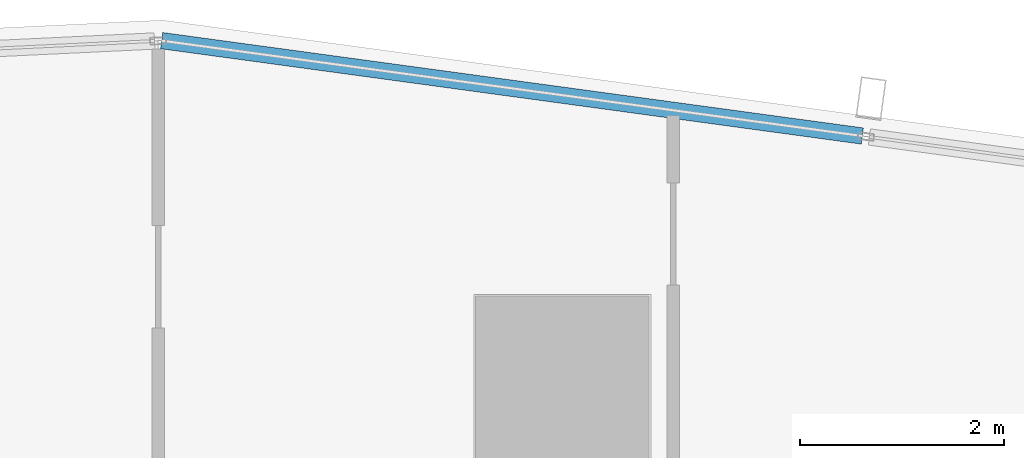
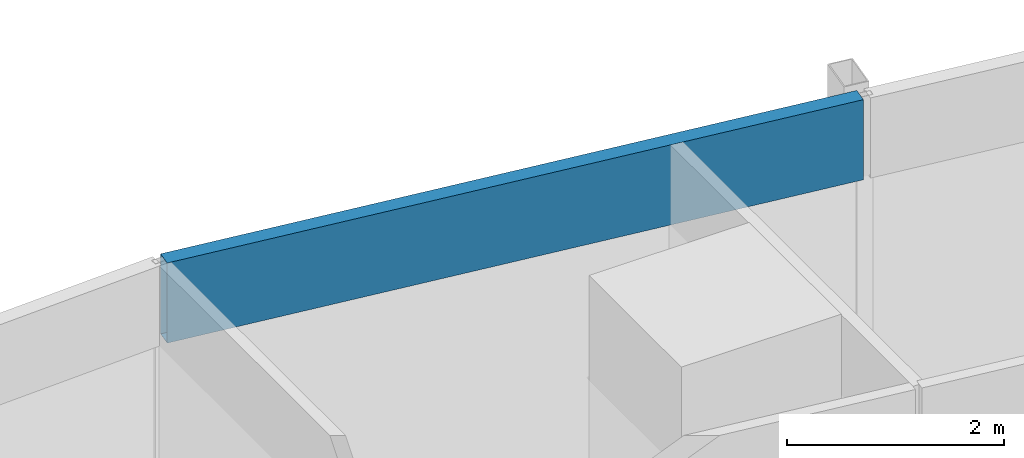
# One storey, part 22 of 39: 1 member, 1 element without a shape of its own.
"""IFC4 building model written with IfcOpenShell, lengths in metres."""

import ifcopenshell
import ifcopenshell.guid

model = None  # the IFC model being written
_history = None  # IfcOwnerHistory: only IFC2X3 demands one
_inside = {}  # id of a spatial element -> (the spatial element, [elements in it])
_under = {}  # id of a project, library or spatial element -> (it, [spatial elements below it])
_declared = {}  # id of a project -> (the project, [libraries it declares])
_typed = {}  # id of a type object -> (the type object, [elements of that type])
_made_of = {}  # id of a material, layer set ... -> (it, [elements and type objects made of it])


def new_model(schema):
    """Start an empty IFC model of exactly this schema.

    Asked for "IFC4X3", IfcOpenShell would pick the latest addendum, in which some entities
    have other attributes; the version numbers below select the first issue.
    IFC2X3 requires an IfcOwnerHistory on every rooted entity: one is made here for all.
    """
    global model, _history
    if schema == "IFC4X3":
        model = ifcopenshell.file(schema_version=(4, 3, 0, 0))
    else:
        model = ifcopenshell.file(schema=schema)
    _inside.clear()
    _under.clear()
    _declared.clear()
    _typed.clear()
    _made_of.clear()
    _history = None
    if model.schema == "IFC2X3":
        org = make("IfcOrganization", Name="unknown")
        user = make(
            "IfcPersonAndOrganization",
            ThePerson=make("IfcPerson", FamilyName="unknown"),
            TheOrganization=org,
        )
        app = make(
            "IfcApplication",
            ApplicationDeveloper=org,
            Version="unknown",
            ApplicationFullName="unknown",
            ApplicationIdentifier="unknown",
        )
        _history = make(
            "IfcOwnerHistory",
            OwningUser=user,
            OwningApplication=app,
            ChangeAction="ADDED",
            CreationDate=0,
        )
    return model


def make(cls, **values):
    """One entity of the class cls with the attributes given. An attribute that is None is left unset."""
    return model.create_entity(
        cls, **{name: value for name, value in values.items() if value is not None}
    )


def rooted(cls, **values):
    """An entity with a GlobalId (a new one), such as an element, a storey or a relation."""
    return make(cls, GlobalId=ifcopenshell.guid.new(), OwnerHistory=_history, **values)


def si_unit(unit_type, name, prefix=None):
    """IfcSIUnit, for example si_unit("LENGTHUNIT", "METRE", prefix="MILLI")."""
    return make("IfcSIUnit", UnitType=unit_type, Prefix=prefix, Name=name)


def assignment(units):
    """IfcUnitAssignment: the units of a project."""
    return None if units is None else make("IfcUnitAssignment", Units=units)


def point(xyz):
    """IfcCartesianPoint."""
    return None if xyz is None else make("IfcCartesianPoint", Coordinates=xyz)


def direction(xyz):
    """IfcDirection."""
    return None if xyz is None else make("IfcDirection", DirectionRatios=xyz)


def frame(location, z_axis=None, x_axis=None):
    """IfcAxis2Placement3D, a coordinate frame: its origin and axes. An axis left out is left unset."""
    return make(
        "IfcAxis2Placement3D",
        Location=point(location),
        Axis=direction(z_axis),
        RefDirection=direction(x_axis),
    )


def frame_2d(location, x_axis=None):
    """IfcAxis2Placement2D, a coordinate frame in the plane: its origin and x axis."""
    return make(
        "IfcAxis2Placement2D", Location=point(location), RefDirection=direction(x_axis)
    )


def origin():
    """The frame at (0, 0, 0) with its axes left unset."""
    return frame((0.0, 0.0, 0.0))


def origin_2d():
    """The frame at (0, 0) in the plane with its x axis left unset."""
    return frame_2d((0.0, 0.0))


def place(relative_to, where):
    """IfcLocalPlacement: puts the frame where relative to a parent placement (None: the world)."""
    return make(
        "IfcLocalPlacement", PlacementRelTo=relative_to, RelativePlacement=where
    )


def context(
    kind, dimensions, precision=None, world=None, true_north=None, identifier=None
):
    """IfcGeometricRepresentationContext, for example the 3D "Model" context."""
    return make(
        "IfcGeometricRepresentationContext",
        ContextIdentifier=identifier,
        ContextType=kind,
        CoordinateSpaceDimension=dimensions,
        Precision=precision,
        WorldCoordinateSystem=world,
        TrueNorth=true_north,
    )


def subcontext(parent, identifier, kind, view, scale=None):
    """IfcGeometricRepresentationSubContext, for example "Body" below "Model"."""
    return make(
        "IfcGeometricRepresentationSubContext",
        ContextIdentifier=identifier,
        ContextType=kind,
        ParentContext=parent,
        TargetScale=scale,
        TargetView=view,
    )


def project(units=None, contexts=None):
    """IfcProject with its units and contexts."""
    return rooted(
        "IfcProject",
        Name="project",
        RepresentationContexts=contexts,
        UnitsInContext=assignment(units),
    )


def spatial(cls, under=None, at=None, **own):
    """A site, building, storey or space (cls), placed at a placement, below another one or the project."""
    s = rooted(cls, ObjectPlacement=at, **own)
    if under is not None:
        _under.setdefault(under.id(), (under, []))[1].append(s)
    return s


def profile(cls, at=None, kind="AREA", **sizes):
    """A parametric profile (cls). Its sizes go by their IFC names, for example OverallWidth=200.0."""
    return make(cls, ProfileType=kind, Position=at, **sizes)


def hollow_rectangle(**sizes):
    """IfcRectangleHollowProfileDef."""
    return profile("IfcRectangleHollowProfileDef", **sizes)


def extrude(swept, where, along, depth):
    """IfcExtrudedAreaSolid: the profile swept, set in the frame where, extruded along a direction by depth."""
    return make(
        "IfcExtrudedAreaSolid",
        SweptArea=swept,
        Position=where,
        ExtrudedDirection=direction(along),
        Depth=depth,
    )


def shape(context_of_items, identifier, shape_type, items):
    """IfcShapeRepresentation: the items that make up one representation, for example the "Body"."""
    return make(
        "IfcShapeRepresentation",
        ContextOfItems=context_of_items,
        RepresentationIdentifier=identifier,
        RepresentationType=shape_type,
        Items=items,
    )


def material(Name=None, Category=None):
    """IfcMaterial."""
    return make("IfcMaterial", Name=Name, Category=Category)


def material_profile(
    of_material, cross_section, Name=None, Category=None, Priority=None
):
    """IfcMaterialProfile: a cross section and its material."""
    return make(
        "IfcMaterialProfile",
        Name=Name,
        Material=of_material,
        Profile=cross_section,
        Priority=Priority,
        Category=Category,
    )


def profile_set(profiles, Name=None, composite=None):
    """IfcMaterialProfileSet."""
    return make(
        "IfcMaterialProfileSet",
        Name=Name,
        MaterialProfiles=profiles,
        CompositeProfile=composite,
    )


def made_of(thing, what):
    """Note that an element or type object is made of a material, layer set ...; save() writes the relation."""
    if what is not None:
        _made_of.setdefault(what.id(), (what, []))[1].append(thing)
    return thing


def type_object(cls, material=None, **own):
    """A type object (cls), such as IfcWallType, which elements share."""
    return made_of(rooted(cls, **own), material)


def element(
    cls,
    number,
    at=None,
    inside=None,
    cuts=None,
    type_object=None,
    material=None,
    context=None,
    identifier="Body",
    shape_type=None,
    held_by="IfcProductDefinitionShape",
    body=None,
    shapes=None,
    **own,
):
    """One element of the class cls, such as IfcWall. Its Tag is "e" and its number.

    at: its placement. inside: the storey or other place that contains it. cuts: it is an
    opening in that element (IfcRelVoidsElement). A single representation is given by context,
    identifier, shape_type and body (its items); several are given by shapes. held_by: the class
    of the entity that holds the representations. save() writes the other relations.
    """
    e = rooted(cls, Tag="e%d" % number, ObjectPlacement=at, **own)
    if body is not None:
        shapes = [shape(context, identifier, shape_type, body)]
    if shapes is not None:
        e.Representation = make(held_by, Representations=shapes)
    if inside is not None:
        _inside.setdefault(inside.id(), (inside, []))[1].append(e)
    if cuts is not None:
        rooted(
            "IfcRelVoidsElement", RelatingBuildingElement=cuts, RelatedOpeningElement=e
        )
    if type_object is not None:
        _typed.setdefault(type_object.id(), (type_object, []))[1].append(e)
    return made_of(e, material)


def aggregate(whole, parts):
    """IfcRelAggregates: a whole, such as a stair, and the parts it consists of."""
    return rooted("IfcRelAggregates", RelatingObject=whole, RelatedObjects=parts)


def save(model, path):
    """Write the relations noted so far, then the file.

    IfcRelAggregates (storeys below a building ...), IfcRelContainedInSpatialStructure (elements
    in a storey), IfcRelDefinesByType, IfcRelAssociatesMaterial and IfcRelDeclares: one each for
    every whole, place, type object, material and project.
    """
    for whole, parts in _under.values():
        aggregate(whole, parts)
    for where, things in _inside.values():
        rooted(
            "IfcRelContainedInSpatialStructure",
            RelatedElements=things,
            RelatingStructure=where,
        )
    for kind, things in _typed.values():
        rooted("IfcRelDefinesByType", RelatedObjects=things, RelatingType=kind)
    for what, things in _made_of.values():
        rooted("IfcRelAssociatesMaterial", RelatedObjects=things, RelatingMaterial=what)
    for by, libraries in _declared.values():
        rooted("IfcRelDeclares", RelatingContext=by, RelatedDefinitions=libraries)
    model.write(path)


model = new_model("IFC4")

# Units and contexts
model_context = context("Model", 3, precision=1e-05, world=origin(), true_north=direction((0.0, 1.0)))
body_context = subcontext(model_context, "Body", "Model", "MODEL_VIEW")
ifc_project = project(units=[si_unit("LENGTHUNIT", "METRE"), si_unit("AREAUNIT", "SQUARE_METRE"), si_unit("VOLUMEUNIT", "CUBIC_METRE"), si_unit("PLANEANGLEUNIT", "RADIAN"), si_unit("MASSUNIT", "GRAM", prefix="KILO")], contexts=[model_context])

# Site, building, storey
site_placement = place(None, origin())
site = spatial("IfcSite", under=ifc_project, at=site_placement, CompositionType="ELEMENT")
building_placement = place(site_placement, origin())
building = spatial("IfcBuilding", under=site, at=building_placement, Name="Rekha Terrace Tower", CompositionType="ELEMENT")
storey_placement = place(building_placement, frame((0.0, 0.0, 183.949951171875)))
storey = spatial("IfcBuildingStorey", under=building, at=storey_placement, Name="L46", CompositionType="ELEMENT", Elevation=183.949951171875)

# Curtain wall, member
ifc_material_1 = material(Name="Aluminium framing", Category="aluminium")
curtain_wall_type = type_object("IfcCurtainWallType", Name="CW3 north unitised glazing", PredefinedType="USERDEFINED", material=ifc_material_1)
curtain_wall_placement = place(storey_placement, origin())
curtain_wall = element("IfcCurtainWall", 1, at=curtain_wall_placement, inside=storey, type_object=curtain_wall_type, Name="CW3 unitised curtain wall", ObjectType="UNITISED CURTAIN WALL", PredefinedType="USERDEFINED")
ifc_material_2 = material(Name="Insulated aluminium spandrel box", Category="aluminium")
ifc_material_profile = material_profile(ifc_material_2, hollow_rectangle(XDim=0.159912109375, YDim=0.89990234375, WallThickness=0.0029296875, at=origin_2d()), Name="AL SPANDREL BOX 160x900")
ifc_profile_set = profile_set([ifc_material_profile], Name="Insulated aluminium spandrel box")
member_type = type_object("IfcMemberType", Name="CW3 spandrel transom 160 x 900", PredefinedType="USERDEFINED", material=ifc_profile_set)
member_placement = place(storey_placement, frame((53.334716796875, 61.21630859375, 3.050048828125), z_axis=(-0.990863635349, 0.134867550367, 0.0), x_axis=(-0.134867550367, -0.990863635349, 0.0)))
member = element("IfcMember", 2, at=member_placement, type_object=member_type, Name="CW3 spandrel transom 2", ObjectType="TRANSOM", PredefinedType="USERDEFINED", context=body_context, shape_type="SweptSolid", body=[
    extrude(hollow_rectangle(XDim=0.159912109375, YDim=0.89990234375, WallThickness=0.0029296875, at=origin_2d()), origin(), (0.0, 0.0, 1.0), 6.918701171875),
])
aggregate(curtain_wall, [member])

save(model, "model.ifc")
